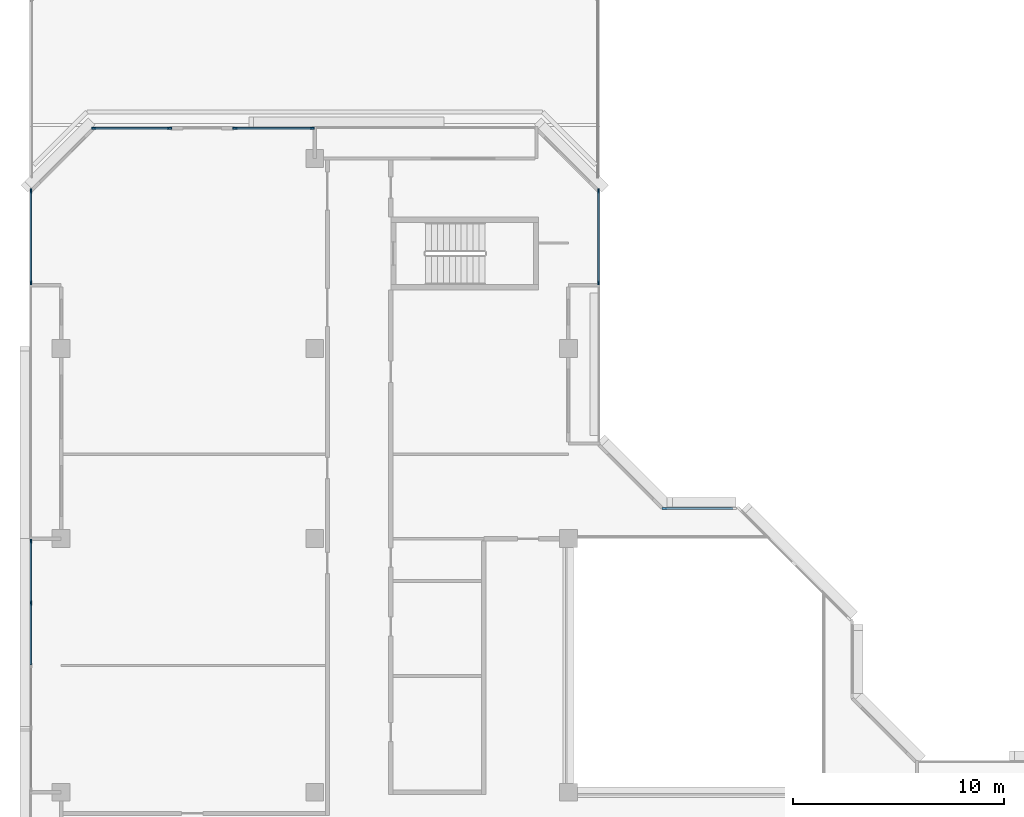
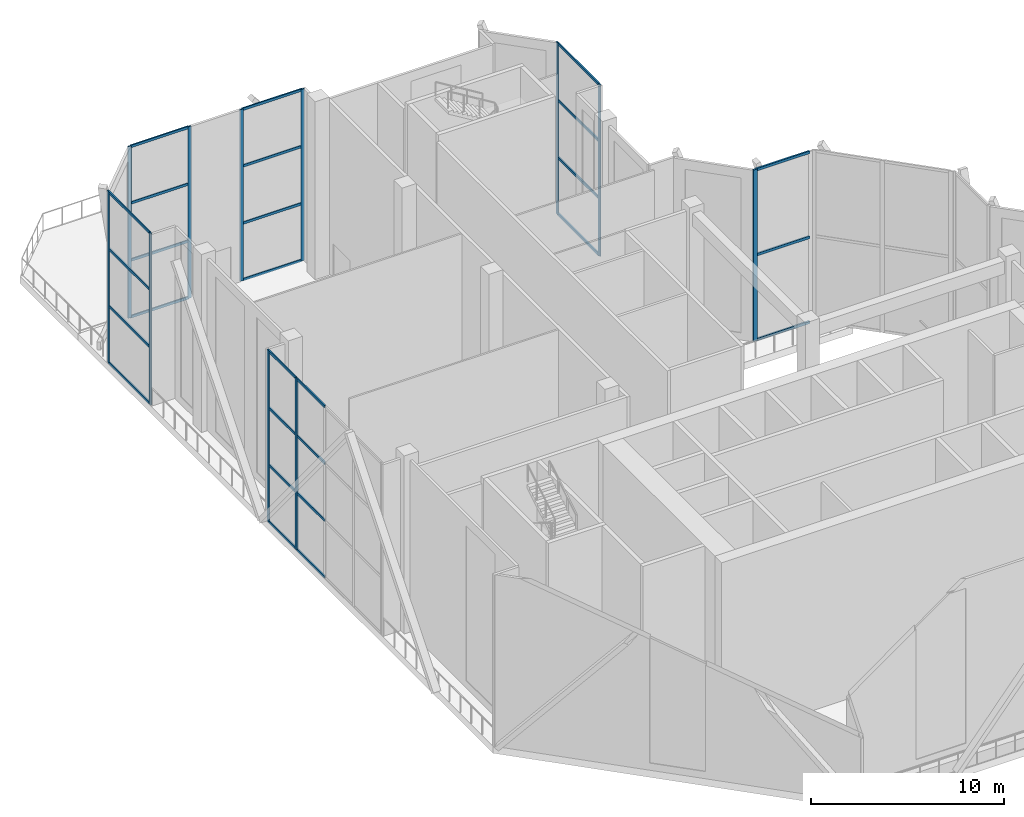
# One storey, part 5 of 18: 38 members, 6 elements without a shape of their own.
"""IFC4 building model written with IfcOpenShell, lengths in metres."""

from ifc_helpers import new_model, si_unit, direction, frame, origin, origin_2d, place, context, subcontext, project, spatial, rectangle, extrude, material, layer, layer_set, material_profile, profile_set, type_object, element, aggregate, save


model = new_model("IFC4")

# Units and contexts
model_context = context("Model", 3, precision=1e-05, world=origin(), true_north=direction((0.0, 1.0)))
body_context = subcontext(model_context, "Body", "Model", "MODEL_VIEW")
ifc_project = project(units=[si_unit("LENGTHUNIT", "METRE"), si_unit("AREAUNIT", "SQUARE_METRE"), si_unit("VOLUMEUNIT", "CUBIC_METRE"), si_unit("PLANEANGLEUNIT", "RADIAN"), si_unit("MASSUNIT", "GRAM", prefix="KILO")], contexts=[model_context])

# Site, building, storey
site_placement = place(None, origin())
site = spatial("IfcSite", under=ifc_project, at=site_placement, CompositionType="ELEMENT")
building_placement = place(site_placement, origin())
building = spatial("IfcBuilding", under=site, at=building_placement, Name="Chenar Terraces", CompositionType="ELEMENT")
storey_placement = place(building_placement, frame((0.0, 0.0, 262.14990234375)))
storey = spatial("IfcBuildingStorey", under=building, at=storey_placement, Name="L62", CompositionType="ELEMENT", Elevation=262.14990234375)

# Curtain wall, members
ifc_material_1 = material(Name="Aluminium framed glazing", Category="aluminium")
ifc_layer_1 = layer(ifc_material_1, 0.14990234375)
ifc_layer_set_1 = layer_set([ifc_layer_1], Name="Aluminium framed glazing")
curtain_wall_type_1 = type_object("IfcCurtainWallType", Name="Atrium upper-zone curtain wall", PredefinedType="NOTDEFINED", material=ifc_layer_set_1)
placement = place(storey_placement, origin())
curtain_wall_1 = element("IfcCurtainWall", 1, at=placement, inside=storey, type_object=curtain_wall_type_1, Name="Atrium upper-zone curtain wall", PredefinedType="NOTDEFINED")
ifc_material_2 = material(Name="Aluminium", Category="aluminium")
ifc_material_profile_1 = material_profile(ifc_material_2, rectangle(XDim=0.10009765625, YDim=0.239990234375, at=origin_2d()), Name="Atrium upper-zone glazing mullion 100 x 240")
ifc_profile_set_1 = profile_set([ifc_material_profile_1], Name="Aluminium")
member_type_1 = type_object("IfcMemberType", Name="Atrium upper-zone glazing mullion 100 x 240", PredefinedType="MULLION", material=ifc_profile_set_1)
member_1_placement = place(storey_placement, frame((28.550048828125, 37.425048828125, 0.0), z_axis=(0.0, 0.0, 1.0), x_axis=(0.0, -1.0, 0.0)))
member_1 = element("IfcMember", 2, at=member_1_placement, type_object=member_type_1, Name="CW8-3 mullion 2", PredefinedType="MULLION", context=body_context, shape_type="SweptSolid", body=[
    extrude(rectangle(XDim=0.10009765625, YDim=0.239990234375, at=origin_2d()), origin(), (0.0, 0.0, 1.0), 10.85009765625),
])
ifc_material_3 = material(Name="Aluminium", Category="aluminium")
ifc_material_profile_2 = material_profile(ifc_material_3, rectangle(XDim=0.10009765625, YDim=0.159912109375, at=origin_2d()), Name="Atrium upper-zone glazing transom 100 x 160")
ifc_profile_set_2 = profile_set([ifc_material_profile_2], Name="Aluminium")
member_type_2 = type_object("IfcMemberType", Name="Atrium upper-zone glazing transom 100 x 160", PredefinedType="USERDEFINED", material=ifc_profile_set_2)
member_2_placement = place(storey_placement, frame((31.800048828125, 37.425048828125, 0.050048828125), z_axis=(-1.0, 0.0, 0.0), x_axis=(0.0, -1.0, 0.0)))
member_2 = element("IfcMember", 3, at=member_2_placement, type_object=member_type_2, Name="CW8-3 transom 1.1", ObjectType="TRANSOM", PredefinedType="USERDEFINED", context=body_context, shape_type="SweptSolid", body=[
    extrude(rectangle(XDim=0.10009765625, YDim=0.159912109375, at=origin_2d()), origin(), (0.0, 0.0, 1.0), 3.199951171875),
])
member_3_placement = place(storey_placement, frame((31.800048828125, 37.425048828125, 5.425048828125), z_axis=(-1.0, 0.0, 0.0), x_axis=(0.0, -1.0, 0.0)))
member_3 = element("IfcMember", 4, at=member_3_placement, type_object=member_type_2, Name="CW8-3 transom 1.2", ObjectType="TRANSOM", PredefinedType="USERDEFINED", context=body_context, shape_type="SweptSolid", body=[
    extrude(rectangle(XDim=0.10009765625, YDim=0.159912109375, at=origin_2d()), origin(), (0.0, 0.0, 1.0), 3.199951171875),
])
member_4_placement = place(storey_placement, frame((31.800048828125, 37.425048828125, 10.800048828125), z_axis=(-1.0, 0.0, 0.0), x_axis=(0.0, -1.0, 0.0)))
member_4 = element("IfcMember", 5, at=member_4_placement, type_object=member_type_2, Name="CW8-3 transom 1.3", ObjectType="TRANSOM", PredefinedType="USERDEFINED", context=body_context, shape_type="SweptSolid", body=[
    extrude(rectangle(XDim=0.10009765625, YDim=0.159912109375, at=origin_2d()), origin(), (0.0, 0.0, 1.0), 3.199951171875),
])
aggregate(curtain_wall_1, [member_1, member_2, member_3, member_4])

ifc_material_4 = material(Name="Aluminium framed glazing", Category="aluminium")
ifc_layer_2 = layer(ifc_material_4, 0.14990234375)
ifc_layer_set_2 = layer_set([ifc_layer_2], Name="Aluminium framed glazing")
curtain_wall_type_2 = type_object("IfcCurtainWallType", Name="Sky garden curtain wall", PredefinedType="NOTDEFINED", material=ifc_layer_set_2)
curtain_wall_2 = element("IfcCurtainWall", 6, at=placement, inside=storey, type_object=curtain_wall_type_2, Name="Sky garden curtain wall", PredefinedType="NOTDEFINED")
ifc_material_5 = material(Name="Aluminium", Category="aluminium")
ifc_material_profile_3 = material_profile(ifc_material_5, rectangle(XDim=0.080078125, YDim=0.199951171875, at=origin_2d()), Name="Sky garden mullion 80 x 200")
ifc_profile_set_3 = profile_set([ifc_material_profile_3], Name="Aluminium")
member_type_3 = type_object("IfcMemberType", Name="Sky garden mullion 80 x 200", PredefinedType="MULLION", material=ifc_profile_set_3)
member_5_placement = place(storey_placement, frame((25.425048828125, 48.114990234375, 0.0), z_axis=(0.0, 0.0, 1.0), x_axis=(-1.0, 0.0, 0.0)))
member_5 = element("IfcMember", 7, at=member_5_placement, type_object=member_type_3, Name="CW3-02 mullion 1", PredefinedType="MULLION", context=body_context, shape_type="SweptSolid", body=[
    extrude(rectangle(XDim=0.080078125, YDim=0.199951171875, at=origin_2d()), origin(), (0.0, 0.0, 1.0), 10.85009765625),
])
member_6_placement = place(storey_placement, frame((25.425048828125, 52.4599609375, 0.0), z_axis=(0.0, 0.0, 1.0), x_axis=(-1.0, 0.0, 0.0)))
member_6 = element("IfcMember", 8, at=member_6_placement, type_object=member_type_3, Name="CW3-02 mullion 2", PredefinedType="MULLION", context=body_context, shape_type="SweptSolid", body=[
    extrude(rectangle(XDim=0.080078125, YDim=0.199951171875, at=origin_2d()), origin(), (0.0, 0.0, 1.0), 10.85009765625),
])

curtain_wall_3 = element("IfcCurtainWall", 9, at=placement, inside=storey, type_object=curtain_wall_type_2, Name="Sky garden curtain wall", PredefinedType="NOTDEFINED")
member_7_placement = place(storey_placement, frame((11.885009765625, 55.425048828125, 0.0), z_axis=(0.0, 0.0, 1.0), x_axis=(0.0, -1.0, 0.0)))
member_7 = element("IfcMember", 10, at=member_7_placement, type_object=member_type_3, Name="CW3-03 mullion 1", PredefinedType="MULLION", context=body_context, shape_type="SweptSolid", body=[
    extrude(rectangle(XDim=0.080078125, YDim=0.199951171875, at=origin_2d()), origin(), (0.0, 0.0, 1.0), 10.85009765625),
])
member_8_placement = place(storey_placement, frame((8.2275390625, 55.425048828125, 0.0), z_axis=(0.0, 0.0, 1.0), x_axis=(0.0, -1.0, 0.0)))
member_8 = element("IfcMember", 11, at=member_8_placement, type_object=member_type_3, Name="CW3-03 mullion 2", PredefinedType="MULLION", context=body_context, shape_type="SweptSolid", body=[
    extrude(rectangle(XDim=0.080078125, YDim=0.199951171875, at=origin_2d()), origin(), (0.0, 0.0, 1.0), 10.85009765625),
])

curtain_wall_4 = element("IfcCurtainWall", 12, at=placement, inside=storey, type_object=curtain_wall_type_2, Name="Sky garden curtain wall", PredefinedType="NOTDEFINED")
member_9_placement = place(storey_placement, frame((5.12255859375, 55.425048828125, 0.0), z_axis=(0.0, 0.0, 1.0), x_axis=(0.0, -1.0, 0.0)))
member_9 = element("IfcMember", 13, at=member_9_placement, type_object=member_type_3, Name="CW3-04 mullion 1", PredefinedType="MULLION", context=body_context, shape_type="SweptSolid", body=[
    extrude(rectangle(XDim=0.080078125, YDim=0.199951171875, at=origin_2d()), origin(), (0.0, 0.0, 1.0), 10.85009765625),
])
member_10_placement = place(storey_placement, frame((1.5400390625, 55.425048828125, 0.0), z_axis=(0.0, 0.0, 1.0), x_axis=(0.0, -1.0, 0.0)))
member_10 = element("IfcMember", 14, at=member_10_placement, type_object=member_type_3, Name="CW3-04 mullion 2", PredefinedType="MULLION", context=body_context, shape_type="SweptSolid", body=[
    extrude(rectangle(XDim=0.080078125, YDim=0.199951171875, at=origin_2d()), origin(), (0.0, 0.0, 1.0), 10.85009765625),
])

curtain_wall_5 = element("IfcCurtainWall", 15, at=placement, inside=storey, type_object=curtain_wall_type_2, Name="Sky garden curtain wall", PredefinedType="NOTDEFINED")
member_11_placement = place(storey_placement, frame((-1.425048828125, 52.4599609375, 0.0), z_axis=(0.0, 0.0, 1.0), x_axis=(1.0, 0.0, 0.0)))
member_11 = element("IfcMember", 16, at=member_11_placement, type_object=member_type_3, Name="CW3-05 mullion 1", PredefinedType="MULLION", context=body_context, shape_type="SweptSolid", body=[
    extrude(rectangle(XDim=0.080078125, YDim=0.199951171875, at=origin_2d()), origin(), (0.0, 0.0, 1.0), 10.85009765625),
])
member_12_placement = place(storey_placement, frame((-1.425048828125, 48.114990234375, 0.0), z_axis=(0.0, 0.0, 1.0), x_axis=(1.0, 0.0, 0.0)))
member_12 = element("IfcMember", 17, at=member_12_placement, type_object=member_type_3, Name="CW3-05 mullion 2", PredefinedType="MULLION", context=body_context, shape_type="SweptSolid", body=[
    extrude(rectangle(XDim=0.080078125, YDim=0.199951171875, at=origin_2d()), origin(), (0.0, 0.0, 1.0), 10.85009765625),
])

curtain_wall_6 = element("IfcCurtainWall", 18, at=placement, inside=storey, type_object=curtain_wall_type_2, Name="Sky garden curtain wall", PredefinedType="NOTDEFINED")
member_13_placement = place(storey_placement, frame((-1.425048828125, 35.885009765625, 0.0), z_axis=(0.0, 0.0, 1.0), x_axis=(1.0, 0.0, 0.0)))
member_13 = element("IfcMember", 19, at=member_13_placement, type_object=member_type_3, Name="CW3-06 mullion 1", PredefinedType="MULLION", context=body_context, shape_type="SweptSolid", body=[
    extrude(rectangle(XDim=0.080078125, YDim=0.199951171875, at=origin_2d()), origin(), (0.0, 0.0, 1.0), 10.85009765625),
])
member_14_placement = place(storey_placement, frame((-1.425048828125, 32.96240234375, 0.0), z_axis=(0.0, 0.0, 1.0), x_axis=(1.0, 0.0, 0.0)))
member_14 = element("IfcMember", 20, at=member_14_placement, type_object=member_type_3, Name="CW3-06 mullion 2", PredefinedType="MULLION", context=body_context, shape_type="SweptSolid", body=[
    extrude(rectangle(XDim=0.080078125, YDim=0.199951171875, at=origin_2d()), origin(), (0.0, 0.0, 1.0), 10.85009765625),
])

# Member
ifc_material_6 = material(Name="Aluminium", Category="aluminium")
ifc_material_profile_4 = material_profile(ifc_material_6, rectangle(XDim=0.080078125, YDim=0.159912109375, at=origin_2d()), Name="Sky garden transom 80 x 160")
ifc_profile_set_4 = profile_set([ifc_material_profile_4], Name="Aluminium")
member_type_4 = type_object("IfcMemberType", Name="Sky garden transom 80 x 160", PredefinedType="USERDEFINED", material=ifc_profile_set_4)
member_15_placement = place(storey_placement, frame((25.425048828125, 48.155029296875, 0.0400390625), z_axis=(0.0, 1.0, 0.0), x_axis=(-1.0, 0.0, 0.0)))
member_15 = element("IfcMember", 21, at=member_15_placement, type_object=member_type_4, Name="CW3-02 transom 1.1", ObjectType="TRANSOM", PredefinedType="USERDEFINED", context=body_context, shape_type="SweptSolid", body=[
    extrude(rectangle(XDim=0.080078125, YDim=0.159912109375, at=origin_2d()), origin(), (0.0, 0.0, 1.0), 4.264892578125),
])

member_16_placement = place(storey_placement, frame((25.425048828125, 48.155029296875, 3.6171875), z_axis=(0.0, 1.0, 0.0), x_axis=(-1.0, 0.0, 0.0)))
member_16 = element("IfcMember", 22, at=member_16_placement, type_object=member_type_4, Name="CW3-02 transom 1.2", ObjectType="TRANSOM", PredefinedType="USERDEFINED", context=body_context, shape_type="SweptSolid", body=[
    extrude(rectangle(XDim=0.080078125, YDim=0.159912109375, at=origin_2d()), origin(), (0.0, 0.0, 1.0), 4.264892578125),
])

member_17_placement = place(storey_placement, frame((25.425048828125, 48.155029296875, 7.233154296875), z_axis=(0.0, 1.0, 0.0), x_axis=(-1.0, 0.0, 0.0)))
member_17 = element("IfcMember", 23, at=member_17_placement, type_object=member_type_4, Name="CW3-02 transom 1.3", ObjectType="TRANSOM", PredefinedType="USERDEFINED", context=body_context, shape_type="SweptSolid", body=[
    extrude(rectangle(XDim=0.080078125, YDim=0.159912109375, at=origin_2d()), origin(), (0.0, 0.0, 1.0), 4.264892578125),
])

member_18_placement = place(storey_placement, frame((25.425048828125, 48.155029296875, 10.81005859375), z_axis=(0.0, 1.0, 0.0), x_axis=(-1.0, 0.0, 0.0)))
member_18 = element("IfcMember", 24, at=member_18_placement, type_object=member_type_4, Name="CW3-02 transom 1.4", ObjectType="TRANSOM", PredefinedType="USERDEFINED", context=body_context, shape_type="SweptSolid", body=[
    extrude(rectangle(XDim=0.080078125, YDim=0.159912109375, at=origin_2d()), origin(), (0.0, 0.0, 1.0), 4.264892578125),
])

aggregate(curtain_wall_2, [member_5, member_6, member_15, member_16, member_17, member_18])

member_19_placement = place(storey_placement, frame((11.844970703125, 55.425048828125, 0.0400390625), z_axis=(-1.0, 0.0, 0.0), x_axis=(0.0, -1.0, 0.0)))
member_19 = element("IfcMember", 25, at=member_19_placement, type_object=member_type_4, Name="CW3-03 transom 1.1", ObjectType="TRANSOM", PredefinedType="USERDEFINED", context=body_context, shape_type="SweptSolid", body=[
    extrude(rectangle(XDim=0.080078125, YDim=0.159912109375, at=origin_2d()), origin(), (0.0, 0.0, 1.0), 3.577392578125),
])

member_20_placement = place(storey_placement, frame((11.844970703125, 55.425048828125, 3.6171875), z_axis=(-1.0, 0.0, 0.0), x_axis=(0.0, -1.0, 0.0)))
member_20 = element("IfcMember", 26, at=member_20_placement, type_object=member_type_4, Name="CW3-03 transom 1.2", ObjectType="TRANSOM", PredefinedType="USERDEFINED", context=body_context, shape_type="SweptSolid", body=[
    extrude(rectangle(XDim=0.080078125, YDim=0.159912109375, at=origin_2d()), origin(), (0.0, 0.0, 1.0), 3.577392578125),
])

member_21_placement = place(storey_placement, frame((11.844970703125, 55.425048828125, 7.233154296875), z_axis=(-1.0, 0.0, 0.0), x_axis=(0.0, -1.0, 0.0)))
member_21 = element("IfcMember", 27, at=member_21_placement, type_object=member_type_4, Name="CW3-03 transom 1.3", ObjectType="TRANSOM", PredefinedType="USERDEFINED", context=body_context, shape_type="SweptSolid", body=[
    extrude(rectangle(XDim=0.080078125, YDim=0.159912109375, at=origin_2d()), origin(), (0.0, 0.0, 1.0), 3.577392578125),
])

member_22_placement = place(storey_placement, frame((11.844970703125, 55.425048828125, 10.81005859375), z_axis=(-1.0, 0.0, 0.0), x_axis=(0.0, -1.0, 0.0)))
member_22 = element("IfcMember", 28, at=member_22_placement, type_object=member_type_4, Name="CW3-03 transom 1.4", ObjectType="TRANSOM", PredefinedType="USERDEFINED", context=body_context, shape_type="SweptSolid", body=[
    extrude(rectangle(XDim=0.080078125, YDim=0.159912109375, at=origin_2d()), origin(), (0.0, 0.0, 1.0), 3.577392578125),
])

aggregate(curtain_wall_3, [member_7, member_8, member_19, member_20, member_21, member_22])

member_23_placement = place(storey_placement, frame((5.08251953125, 55.425048828125, 0.0400390625), z_axis=(-1.0, 0.0, 0.0), x_axis=(0.0, -1.0, 0.0)))
member_23 = element("IfcMember", 29, at=member_23_placement, type_object=member_type_4, Name="CW3-04 transom 1.1", ObjectType="TRANSOM", PredefinedType="USERDEFINED", context=body_context, shape_type="SweptSolid", body=[
    extrude(rectangle(XDim=0.080078125, YDim=0.159912109375, at=origin_2d()), origin(), (0.0, 0.0, 1.0), 3.50244140625),
])

member_24_placement = place(storey_placement, frame((5.08251953125, 55.425048828125, 3.6171875), z_axis=(-1.0, 0.0, 0.0), x_axis=(0.0, -1.0, 0.0)))
member_24 = element("IfcMember", 30, at=member_24_placement, type_object=member_type_4, Name="CW3-04 transom 1.2", ObjectType="TRANSOM", PredefinedType="USERDEFINED", context=body_context, shape_type="SweptSolid", body=[
    extrude(rectangle(XDim=0.080078125, YDim=0.159912109375, at=origin_2d()), origin(), (0.0, 0.0, 1.0), 3.50244140625),
])

member_25_placement = place(storey_placement, frame((5.08251953125, 55.425048828125, 7.233154296875), z_axis=(-1.0, 0.0, 0.0), x_axis=(0.0, -1.0, 0.0)))
member_25 = element("IfcMember", 31, at=member_25_placement, type_object=member_type_4, Name="CW3-04 transom 1.3", ObjectType="TRANSOM", PredefinedType="USERDEFINED", context=body_context, shape_type="SweptSolid", body=[
    extrude(rectangle(XDim=0.080078125, YDim=0.159912109375, at=origin_2d()), origin(), (0.0, 0.0, 1.0), 3.50244140625),
])

member_26_placement = place(storey_placement, frame((5.08251953125, 55.425048828125, 10.81005859375), z_axis=(-1.0, 0.0, 0.0), x_axis=(0.0, -1.0, 0.0)))
member_26 = element("IfcMember", 32, at=member_26_placement, type_object=member_type_4, Name="CW3-04 transom 1.4", ObjectType="TRANSOM", PredefinedType="USERDEFINED", context=body_context, shape_type="SweptSolid", body=[
    extrude(rectangle(XDim=0.080078125, YDim=0.159912109375, at=origin_2d()), origin(), (0.0, 0.0, 1.0), 3.50244140625),
])

aggregate(curtain_wall_4, [member_9, member_10, member_23, member_24, member_25, member_26])

member_27_placement = place(storey_placement, frame((-1.425048828125, 52.419921875, 0.0400390625), z_axis=(0.0, -1.0, 0.0), x_axis=(1.0, 0.0, 0.0)))
member_27 = element("IfcMember", 33, at=member_27_placement, type_object=member_type_4, Name="CW3-05 transom 1.1", ObjectType="TRANSOM", PredefinedType="USERDEFINED", context=body_context, shape_type="SweptSolid", body=[
    extrude(rectangle(XDim=0.080078125, YDim=0.159912109375, at=origin_2d()), origin(), (0.0, 0.0, 1.0), 4.264892578125),
])

member_28_placement = place(storey_placement, frame((-1.425048828125, 52.419921875, 3.6171875), z_axis=(0.0, -1.0, 0.0), x_axis=(1.0, 0.0, 0.0)))
member_28 = element("IfcMember", 34, at=member_28_placement, type_object=member_type_4, Name="CW3-05 transom 1.2", ObjectType="TRANSOM", PredefinedType="USERDEFINED", context=body_context, shape_type="SweptSolid", body=[
    extrude(rectangle(XDim=0.080078125, YDim=0.159912109375, at=origin_2d()), origin(), (0.0, 0.0, 1.0), 4.264892578125),
])

member_29_placement = place(storey_placement, frame((-1.425048828125, 52.419921875, 7.233154296875), z_axis=(0.0, -1.0, 0.0), x_axis=(1.0, 0.0, 0.0)))
member_29 = element("IfcMember", 35, at=member_29_placement, type_object=member_type_4, Name="CW3-05 transom 1.3", ObjectType="TRANSOM", PredefinedType="USERDEFINED", context=body_context, shape_type="SweptSolid", body=[
    extrude(rectangle(XDim=0.080078125, YDim=0.159912109375, at=origin_2d()), origin(), (0.0, 0.0, 1.0), 4.264892578125),
])

member_30_placement = place(storey_placement, frame((-1.425048828125, 52.419921875, 10.81005859375), z_axis=(0.0, -1.0, 0.0), x_axis=(1.0, 0.0, 0.0)))
member_30 = element("IfcMember", 36, at=member_30_placement, type_object=member_type_4, Name="CW3-05 transom 1.4", ObjectType="TRANSOM", PredefinedType="USERDEFINED", context=body_context, shape_type="SweptSolid", body=[
    extrude(rectangle(XDim=0.080078125, YDim=0.159912109375, at=origin_2d()), origin(), (0.0, 0.0, 1.0), 4.264892578125),
])

aggregate(curtain_wall_5, [member_11, member_12, member_27, member_28, member_29, member_30])

member_31_placement = place(storey_placement, frame((-1.425048828125, 35.844970703125, 0.0400390625), z_axis=(0.0, -1.0, 0.0), x_axis=(1.0, 0.0, 0.0)))
member_31 = element("IfcMember", 37, at=member_31_placement, type_object=member_type_4, Name="CW3-06 transom 1.1", ObjectType="TRANSOM", PredefinedType="USERDEFINED", context=body_context, shape_type="SweptSolid", body=[
    extrude(rectangle(XDim=0.080078125, YDim=0.159912109375, at=origin_2d()), origin(), (0.0, 0.0, 1.0), 2.842529296875),
])

member_32_placement = place(storey_placement, frame((-1.425048828125, 35.844970703125, 3.6171875), z_axis=(0.0, -1.0, 0.0), x_axis=(1.0, 0.0, 0.0)))
member_32 = element("IfcMember", 38, at=member_32_placement, type_object=member_type_4, Name="CW3-06 transom 1.2", ObjectType="TRANSOM", PredefinedType="USERDEFINED", context=body_context, shape_type="SweptSolid", body=[
    extrude(rectangle(XDim=0.080078125, YDim=0.159912109375, at=origin_2d()), origin(), (0.0, 0.0, 1.0), 2.842529296875),
])

member_33_placement = place(storey_placement, frame((-1.425048828125, 35.844970703125, 7.233154296875), z_axis=(0.0, -1.0, 0.0), x_axis=(1.0, 0.0, 0.0)))
member_33 = element("IfcMember", 39, at=member_33_placement, type_object=member_type_4, Name="CW3-06 transom 1.3", ObjectType="TRANSOM", PredefinedType="USERDEFINED", context=body_context, shape_type="SweptSolid", body=[
    extrude(rectangle(XDim=0.080078125, YDim=0.159912109375, at=origin_2d()), origin(), (0.0, 0.0, 1.0), 2.842529296875),
])

member_34_placement = place(storey_placement, frame((-1.425048828125, 35.844970703125, 10.81005859375), z_axis=(0.0, -1.0, 0.0), x_axis=(1.0, 0.0, 0.0)))
member_34 = element("IfcMember", 40, at=member_34_placement, type_object=member_type_4, Name="CW3-06 transom 1.4", ObjectType="TRANSOM", PredefinedType="USERDEFINED", context=body_context, shape_type="SweptSolid", body=[
    extrude(rectangle(XDim=0.080078125, YDim=0.159912109375, at=origin_2d()), origin(), (0.0, 0.0, 1.0), 2.842529296875),
])

member_35_placement = place(storey_placement, frame((-1.425048828125, 32.922607421875, 0.0400390625), z_axis=(0.0, -1.0, 0.0), x_axis=(1.0, 0.0, 0.0)))
member_35 = element("IfcMember", 41, at=member_35_placement, type_object=member_type_4, Name="CW3-06 transom 2.1", ObjectType="TRANSOM", PredefinedType="USERDEFINED", context=body_context, shape_type="SweptSolid", body=[
    extrude(rectangle(XDim=0.080078125, YDim=0.159912109375, at=origin_2d()), origin(), (0.0, 0.0, 1.0), 2.882568359375),
])

member_36_placement = place(storey_placement, frame((-1.425048828125, 32.922607421875, 3.6171875), z_axis=(0.0, -1.0, 0.0), x_axis=(1.0, 0.0, 0.0)))
member_36 = element("IfcMember", 42, at=member_36_placement, type_object=member_type_4, Name="CW3-06 transom 2.2", ObjectType="TRANSOM", PredefinedType="USERDEFINED", context=body_context, shape_type="SweptSolid", body=[
    extrude(rectangle(XDim=0.080078125, YDim=0.159912109375, at=origin_2d()), origin(), (0.0, 0.0, 1.0), 2.882568359375),
])

member_37_placement = place(storey_placement, frame((-1.425048828125, 32.922607421875, 7.233154296875), z_axis=(0.0, -1.0, 0.0), x_axis=(1.0, 0.0, 0.0)))
member_37 = element("IfcMember", 43, at=member_37_placement, type_object=member_type_4, Name="CW3-06 transom 2.3", ObjectType="TRANSOM", PredefinedType="USERDEFINED", context=body_context, shape_type="SweptSolid", body=[
    extrude(rectangle(XDim=0.080078125, YDim=0.159912109375, at=origin_2d()), origin(), (0.0, 0.0, 1.0), 2.882568359375),
])

member_38_placement = place(storey_placement, frame((-1.425048828125, 32.922607421875, 10.81005859375), z_axis=(0.0, -1.0, 0.0), x_axis=(1.0, 0.0, 0.0)))
member_38 = element("IfcMember", 44, at=member_38_placement, type_object=member_type_4, Name="CW3-06 transom 2.4", ObjectType="TRANSOM", PredefinedType="USERDEFINED", context=body_context, shape_type="SweptSolid", body=[
    extrude(rectangle(XDim=0.080078125, YDim=0.159912109375, at=origin_2d()), origin(), (0.0, 0.0, 1.0), 2.882568359375),
])

aggregate(curtain_wall_6, [member_13, member_14, member_31, member_32, member_33, member_34, member_35, member_36, member_37, member_38])

save(model, "model.ifc")
